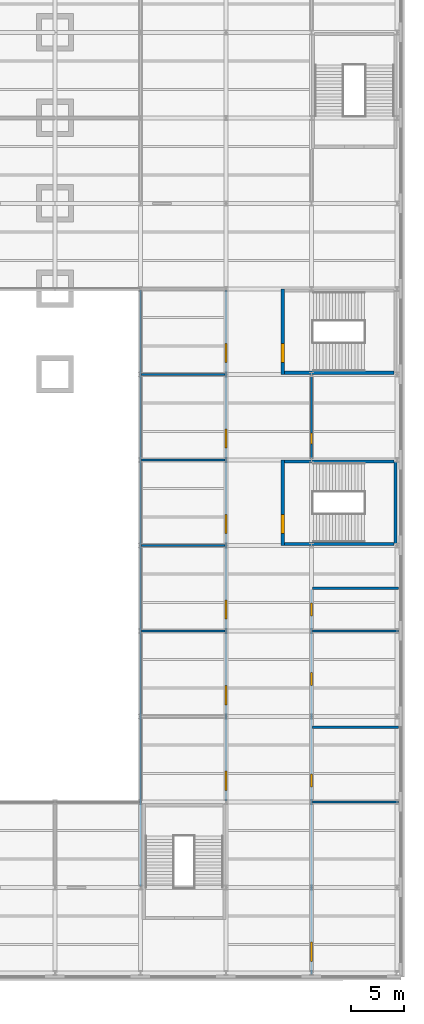
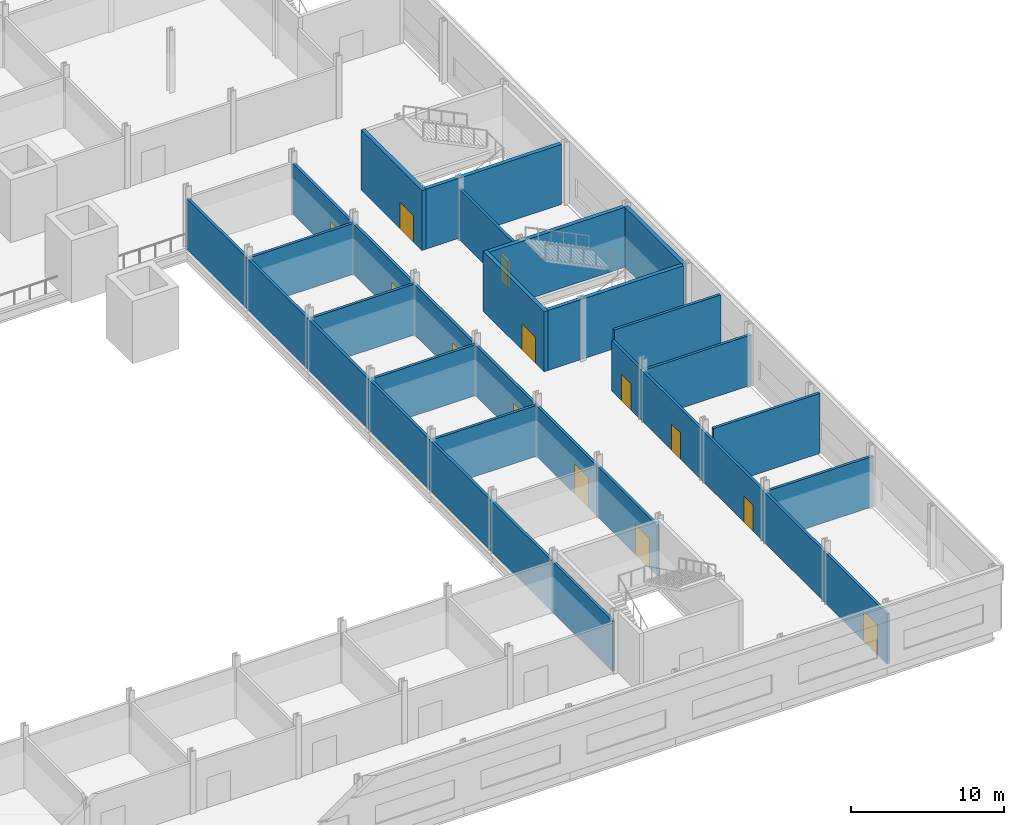
# One storey, part 12 of 22: 18 walls, 13 doors, 13 openings.
"""IFC4 building model written with IfcOpenShell, lengths in metres."""

from ifc_helpers import new_model, si_unit, direction, frame, frame_2d, origin, place, context, subcontext, project, spatial, rectangle, extrude, material, layer, layer_set, type_object, element, fill, save


model = new_model("IFC4")

# Units and contexts
model_context = context("Model", 3, precision=1e-05, world=origin(), true_north=direction((0.0, 1.0)))
body_context = subcontext(model_context, "Body", "Model", "MODEL_VIEW")
ifc_project = project(units=[si_unit("LENGTHUNIT", "METRE"), si_unit("AREAUNIT", "SQUARE_METRE"), si_unit("VOLUMEUNIT", "CUBIC_METRE"), si_unit("PLANEANGLEUNIT", "RADIAN"), si_unit("MASSUNIT", "GRAM", prefix="KILO")], contexts=[model_context])

# Site, building, storey
site_placement = place(None, origin())
site = spatial("IfcSite", under=ifc_project, at=site_placement, CompositionType="ELEMENT")
building_placement = place(site_placement, origin())
building = spatial("IfcBuilding", under=site, at=building_placement, Name="Daluyong Arena Tower", CompositionType="ELEMENT")
storey_placement = place(building_placement, frame((0.0, 0.0, 9.89990234375)))
storey = spatial("IfcBuildingStorey", under=building, at=storey_placement, Name="L02", CompositionType="ELEMENT", Elevation=9.89990234375)

# Walls
ifc_material_1 = material(Name="Concrete block partition", Category="concrete")
ifc_layer_1 = layer(ifc_material_1, 0.199951171875)
ifc_layer_set_1 = layer_set([ifc_layer_1], Name="Concrete block partition")
wall_type_1 = type_object("IfcWallType", Name="Partition 200", PredefinedType="PARTITIONING", material=ifc_layer_set_1)
wall_1_placement = place(storey_placement, frame((104.10009765625, 16.0, 0.0), z_axis=(0.0, 0.0, 1.0), x_axis=(1.0, 0.0, 0.0)))
element("IfcWall", 1, at=wall_1_placement, inside=storey, type_object=wall_type_1, Name="partition at L02", PredefinedType="PARTITIONING", context=body_context, shape_type="SweptSolid", body=[
    extrude(rectangle(XDim=8.0498046875, YDim=0.199951171875, at=frame_2d((4.02490234375, 0.0))), origin(), (0.0, 0.0, 1.0), 4.02783203125),
])
wall_2_placement = place(storey_placement, frame((104.10009765625, 23.0, 0.0), z_axis=(0.0, 0.0, 1.0), x_axis=(1.0, 0.0, 0.0)))
element("IfcWall", 2, at=wall_2_placement, inside=storey, type_object=wall_type_1, Name="partition at L02", PredefinedType="PARTITIONING", context=body_context, shape_type="SweptSolid", body=[
    extrude(rectangle(XDim=8.0498046875, YDim=0.199951171875, at=frame_2d((4.02490234375, 0.0))), origin(), (0.0, 0.0, 1.0), 4.800048828125),
])
wall_3_placement = place(storey_placement, frame((88.10009765625, 32.0, 0.0), z_axis=(0.0, 0.0, 1.0), x_axis=(1.0, 0.0, 0.0)))
element("IfcWall", 3, at=wall_3_placement, inside=storey, type_object=wall_type_1, Name="partition at L02", PredefinedType="PARTITIONING", context=body_context, shape_type="SweptSolid", body=[
    extrude(rectangle(XDim=7.7998046875, YDim=0.199951171875, at=frame_2d((3.89990234375, 0.0))), origin(), (0.0, 0.0, 1.0), 4.071533203125),
])
wall_4_placement = place(storey_placement, frame((104.10009765625, 32.0, 0.0), z_axis=(0.0, 0.0, 1.0), x_axis=(1.0, 0.0, 0.0)))
element("IfcWall", 4, at=wall_4_placement, inside=storey, type_object=wall_type_1, Name="partition at L02", PredefinedType="PARTITIONING", context=body_context, shape_type="SweptSolid", body=[
    extrude(rectangle(XDim=8.0498046875, YDim=0.199951171875, at=frame_2d((4.02490234375, 0.0))), origin(), (0.0, 0.0, 1.0), 4.02783203125),
])
wall_5_placement = place(storey_placement, frame((104.10009765625, 36.0, 0.0), z_axis=(0.0, 0.0, 1.0), x_axis=(1.0, 0.0, 0.0)))
element("IfcWall", 5, at=wall_5_placement, inside=storey, type_object=wall_type_1, Name="partition at L02", PredefinedType="PARTITIONING", context=body_context, shape_type="SweptSolid", body=[
    extrude(rectangle(XDim=8.0498046875, YDim=0.199951171875, at=frame_2d((4.02490234375, 0.0))), origin(), (0.0, 0.0, 1.0), 4.800048828125),
])
for number, where, z_axis, x_axis, name in (
    (6, (88.10009765625, 40.0, 0.0), (0.0, 0.0, 1.0), (1.0, 0.0, 0.0), "partition at L02"),
    (7, (88.10009765625, 48.0, 0.0), (0.0, 0.0, 1.0), (1.0, 0.0, 0.0), "partition at L02"),
    (8, (88.10009765625, 56.0, 0.0), (0.0, 0.0, 1.0), (1.0, 0.0, 0.0), "partition at L02"),
):
    element("IfcWall", number, at=place(storey_placement, frame(where, z_axis=z_axis, x_axis=x_axis)), inside=storey, type_object=wall_type_1, Name=name, PredefinedType="PARTITIONING", context=body_context, shape_type="SweptSolid", body=[
        extrude(rectangle(XDim=7.7998046875, YDim=0.199951171875, at=frame_2d((3.89990234375, 0.0))), origin(), (0.0, 0.0, 1.0), 4.071533203125),
    ])
wall_6_placement = place(storey_placement, frame((88.0, 8.10009765625, 0.0), z_axis=(0.0, 0.0, 1.0), x_axis=(0.0, 1.0, 0.0)))
element("IfcWall", 9, at=wall_6_placement, inside=storey, type_object=wall_type_1, Name="partition at L02", PredefinedType="PARTITIONING", context=body_context, shape_type="SweptSolid", body=[
    extrude(rectangle(XDim=55.7998046875, YDim=0.199951171875, at=frame_2d((27.89990234375, 0.0))), origin(), (0.0, 0.0, 1.0), 4.02783203125),
])

# Wall, openings, doors
wall_7_placement = place(storey_placement, frame((96.0, 16.10009765625, 0.0), z_axis=(0.0, 0.0, 1.0), x_axis=(0.0, 1.0, 0.0)))
wall_7 = element("IfcWall", 10, at=wall_7_placement, inside=storey, type_object=wall_type_1, Name="partition at L02", PredefinedType="PARTITIONING", context=body_context, shape_type="SweptSolid", body=[
    extrude(rectangle(XDim=47.7998046875, YDim=0.199951171875, at=frame_2d((23.89990234375, 0.0))), origin(), (0.0, 0.0, 1.0), 4.02783203125),
])
opening_1_placement = place(wall_7_placement, frame((1.0, 0.0, 0.0)))
opening_1 = element("IfcOpeningElement", 11, at=opening_1_placement, cuts=wall_7, Name="Opening 02039", PredefinedType="OPENING", context=body_context, shape_type="SweptSolid", body=[
    extrude(rectangle(XDim=1.800048828125, YDim=2.39990234375, at=frame_2d((0.89990234375, 1.199951171875))), frame((0.0, 0.10986328125, 0.0), z_axis=(0.0, -1.0, 0.0), x_axis=(1.0, 0.0, 0.0)), (0.0, 0.0, 1.0), 0.219970703125),
])
opening_2_placement = place(wall_7_placement, frame((9.0, 0.0, 0.0)))
opening_2 = element("IfcOpeningElement", 12, at=opening_2_placement, cuts=wall_7, Name="Opening 02040", PredefinedType="OPENING", context=body_context, shape_type="SweptSolid", body=[
    extrude(rectangle(XDim=1.800048828125, YDim=2.39990234375, at=frame_2d((0.89990234375, 1.199951171875))), frame((0.0, 0.10986328125, 0.0), z_axis=(0.0, -1.0, 0.0), x_axis=(1.0, 0.0, 0.0)), (0.0, 0.0, 1.0), 0.219970703125),
])
opening_3_placement = place(wall_7_placement, frame((17.0, 0.0, 0.0)))
opening_3 = element("IfcOpeningElement", 13, at=opening_3_placement, cuts=wall_7, Name="Opening 02041", PredefinedType="OPENING", context=body_context, shape_type="SweptSolid", body=[
    extrude(rectangle(XDim=1.800048828125, YDim=2.39990234375, at=frame_2d((0.89990234375, 1.199951171875))), frame((0.0, 0.10986328125, 0.0), z_axis=(0.0, -1.0, 0.0), x_axis=(1.0, 0.0, 0.0)), (0.0, 0.0, 1.0), 0.219970703125),
])
opening_4_placement = place(wall_7_placement, frame((25.0, 0.0, 0.0)))
opening_4 = element("IfcOpeningElement", 14, at=opening_4_placement, cuts=wall_7, Name="Opening 02042", PredefinedType="OPENING", context=body_context, shape_type="SweptSolid", body=[
    extrude(rectangle(XDim=1.800048828125, YDim=2.39990234375, at=frame_2d((0.89990234375, 1.199951171875))), frame((0.0, 0.10986328125, 0.0), z_axis=(0.0, -1.0, 0.0), x_axis=(1.0, 0.0, 0.0)), (0.0, 0.0, 1.0), 0.219970703125),
])
opening_5_placement = place(wall_7_placement, frame((33.0, 0.0, 0.0)))
opening_5 = element("IfcOpeningElement", 15, at=opening_5_placement, cuts=wall_7, Name="Opening 02043", PredefinedType="OPENING", context=body_context, shape_type="SweptSolid", body=[
    extrude(rectangle(XDim=1.800048828125, YDim=2.39990234375, at=frame_2d((0.89990234375, 1.199951171875))), frame((0.0, 0.10986328125, 0.0), z_axis=(0.0, -1.0, 0.0), x_axis=(1.0, 0.0, 0.0)), (0.0, 0.0, 1.0), 0.219970703125),
])
opening_6_placement = place(wall_7_placement, frame((41.0, 0.0, 0.0)))
opening_6 = element("IfcOpeningElement", 16, at=opening_6_placement, cuts=wall_7, Name="Opening 02044", PredefinedType="OPENING", context=body_context, shape_type="SweptSolid", body=[
    extrude(rectangle(XDim=1.800048828125, YDim=2.39990234375, at=frame_2d((0.89990234375, 1.199951171875))), frame((0.0, 0.10986328125, 0.0), z_axis=(0.0, -1.0, 0.0), x_axis=(1.0, 0.0, 0.0)), (0.0, 0.0, 1.0), 0.219970703125),
])
ifc_material_2 = material(Name="Timber door", Category="wood")
door_type_1 = type_object("IfcDoorType", Name="Assembly double door 1800", OperationType="DOUBLE_DOOR_DOUBLE_SWING", PredefinedType="DOOR", material=ifc_material_2)
door_1_placement = place(opening_1_placement, origin())
door_1 = element("IfcDoor", 17, at=door_1_placement, inside=storey, type_object=door_type_1, Name="corporate suite door 02039", OperationType="DOUBLE_DOOR_DOUBLE_SWING", OverallHeight=2.39990234375, OverallWidth=1.800048828125, PredefinedType="DOOR", context=body_context, shape_type="SweptSolid", body=[
    extrude(rectangle(XDim=1.800048828125, YDim=2.39990234375, at=frame_2d((0.89990234375, 1.199951171875))), frame((0.0, 0.099609375, 0.0), z_axis=(0.0, -1.0, 0.0), x_axis=(1.0, 0.0, 0.0)), (0.0, 0.0, 1.0), 0.199462890625),
])
fill(opening_1, door_1)
door_2_placement = place(opening_2_placement, origin())
door_2 = element("IfcDoor", 18, at=door_2_placement, inside=storey, type_object=door_type_1, Name="corporate suite door 02040", OperationType="DOUBLE_DOOR_DOUBLE_SWING", OverallHeight=2.39990234375, OverallWidth=1.800048828125, PredefinedType="DOOR", context=body_context, shape_type="SweptSolid", body=[
    extrude(rectangle(XDim=1.800048828125, YDim=2.39990234375, at=frame_2d((0.89990234375, 1.199951171875))), frame((0.0, 0.099609375, 0.0), z_axis=(0.0, -1.0, 0.0), x_axis=(1.0, 0.0, 0.0)), (0.0, 0.0, 1.0), 0.199462890625),
])
fill(opening_2, door_2)
door_3_placement = place(opening_3_placement, origin())
door_3 = element("IfcDoor", 19, at=door_3_placement, inside=storey, type_object=door_type_1, Name="corporate suite door 02041", OperationType="DOUBLE_DOOR_DOUBLE_SWING", OverallHeight=2.39990234375, OverallWidth=1.800048828125, PredefinedType="DOOR", context=body_context, shape_type="SweptSolid", body=[
    extrude(rectangle(XDim=1.800048828125, YDim=2.39990234375, at=frame_2d((0.89990234375, 1.199951171875))), frame((0.0, 0.099609375, 0.0), z_axis=(0.0, -1.0, 0.0), x_axis=(1.0, 0.0, 0.0)), (0.0, 0.0, 1.0), 0.199462890625),
])
fill(opening_3, door_3)
door_4_placement = place(opening_4_placement, origin())
door_4 = element("IfcDoor", 20, at=door_4_placement, inside=storey, type_object=door_type_1, Name="corporate suite door 02042", OperationType="DOUBLE_DOOR_DOUBLE_SWING", OverallHeight=2.39990234375, OverallWidth=1.800048828125, PredefinedType="DOOR", context=body_context, shape_type="SweptSolid", body=[
    extrude(rectangle(XDim=1.800048828125, YDim=2.39990234375, at=frame_2d((0.89990234375, 1.199951171875))), frame((0.0, 0.099609375, 0.0), z_axis=(0.0, -1.0, 0.0), x_axis=(1.0, 0.0, 0.0)), (0.0, 0.0, 1.0), 0.199462890625),
])
fill(opening_4, door_4)
door_5_placement = place(opening_5_placement, origin())
door_5 = element("IfcDoor", 21, at=door_5_placement, inside=storey, type_object=door_type_1, Name="corporate suite door 02043", OperationType="DOUBLE_DOOR_DOUBLE_SWING", OverallHeight=2.39990234375, OverallWidth=1.800048828125, PredefinedType="DOOR", context=body_context, shape_type="SweptSolid", body=[
    extrude(rectangle(XDim=1.800048828125, YDim=2.39990234375, at=frame_2d((0.89990234375, 1.199951171875))), frame((0.0, 0.099609375, 0.0), z_axis=(0.0, -1.0, 0.0), x_axis=(1.0, 0.0, 0.0)), (0.0, 0.0, 1.0), 0.199462890625),
])
fill(opening_5, door_5)
door_6_placement = place(opening_6_placement, origin())
door_6 = element("IfcDoor", 22, at=door_6_placement, inside=storey, type_object=door_type_1, Name="corporate suite door 02044", OperationType="DOUBLE_DOOR_DOUBLE_SWING", OverallHeight=2.39990234375, OverallWidth=1.800048828125, PredefinedType="DOOR", context=body_context, shape_type="SweptSolid", body=[
    extrude(rectangle(XDim=1.800048828125, YDim=2.39990234375, at=frame_2d((0.89990234375, 1.199951171875))), frame((0.0, 0.099609375, 0.0), z_axis=(0.0, -1.0, 0.0), x_axis=(1.0, 0.0, 0.0)), (0.0, 0.0, 1.0), 0.199462890625),
])
fill(opening_6, door_6)

wall_8_placement = place(storey_placement, frame((104.0, -0.14990234375, 0.0), z_axis=(0.0, 0.0, 1.0), x_axis=(0.0, 1.0, 0.0)))
wall_8 = element("IfcWall", 23, at=wall_8_placement, inside=storey, type_object=wall_type_1, Name="partition at L02", PredefinedType="PARTITIONING", context=body_context, shape_type="SweptSolid", body=[
    extrude(rectangle(XDim=36.0498046875, YDim=0.199951171875, at=frame_2d((18.02490234375, 0.0))), origin(), (0.0, 0.0, 1.0), 4.02783203125),
])
opening_7_placement = place(wall_8_placement, frame((17.550048828125, 0.0, 0.0)))
opening_7 = element("IfcOpeningElement", 24, at=opening_7_placement, cuts=wall_8, Name="Opening 02026", PredefinedType="OPENING", context=body_context, shape_type="SweptSolid", body=[
    extrude(rectangle(XDim=1.199951171875, YDim=2.10009765625, at=frame_2d((0.60009765625, 1.050048828125))), frame((0.0, 0.10986328125, 0.0), z_axis=(0.0, -1.0, 0.0), x_axis=(1.0, 0.0, 0.0)), (0.0, 0.0, 1.0), 0.219970703125),
])
opening_8_placement = place(wall_8_placement, frame((27.050048828125, 0.0, 0.0)))
opening_8 = element("IfcOpeningElement", 25, at=opening_8_placement, cuts=wall_8, Name="Opening 02027", PredefinedType="OPENING", context=body_context, shape_type="SweptSolid", body=[
    extrude(rectangle(XDim=1.199951171875, YDim=2.10009765625, at=frame_2d((0.60009765625, 1.050048828125))), frame((0.0, 0.10986328125, 0.0), z_axis=(0.0, -1.0, 0.0), x_axis=(1.0, 0.0, 0.0)), (0.0, 0.0, 1.0), 0.219970703125),
])
opening_9_placement = place(wall_8_placement, frame((33.550048828125, 0.0, 0.0)))
opening_9 = element("IfcOpeningElement", 26, at=opening_9_placement, cuts=wall_8, Name="Opening 02028", PredefinedType="OPENING", context=body_context, shape_type="SweptSolid", body=[
    extrude(rectangle(XDim=1.199951171875, YDim=2.10009765625, at=frame_2d((0.60009765625, 1.050048828125))), frame((0.0, 0.10986328125, 0.0), z_axis=(0.0, -1.0, 0.0), x_axis=(1.0, 0.0, 0.0)), (0.0, 0.0, 1.0), 0.219970703125),
])
opening_10_placement = place(wall_8_placement, frame((1.25, 0.0, 0.0)))
opening_10 = element("IfcOpeningElement", 27, at=opening_10_placement, cuts=wall_8, Name="Opening 02030", PredefinedType="OPENING", context=body_context, shape_type="SweptSolid", body=[
    extrude(rectangle(XDim=1.800048828125, YDim=2.39990234375, at=frame_2d((0.89990234375, 1.199951171875))), frame((0.0, 0.10986328125, 0.0), z_axis=(0.0, -1.0, 0.0), x_axis=(1.0, 0.0, 0.0)), (0.0, 0.0, 1.0), 0.219970703125),
])
door_7_placement = place(opening_10_placement, origin())
door_7 = element("IfcDoor", 28, at=door_7_placement, inside=storey, type_object=door_type_1, Name="club bar door 02030", OperationType="DOUBLE_DOOR_DOUBLE_SWING", OverallHeight=2.39990234375, OverallWidth=1.800048828125, PredefinedType="DOOR", context=body_context, shape_type="SweptSolid", body=[
    extrude(rectangle(XDim=1.800048828125, YDim=2.39990234375, at=frame_2d((0.89990234375, 1.199951171875))), frame((0.0, 0.099609375, 0.0), z_axis=(0.0, -1.0, 0.0), x_axis=(1.0, 0.0, 0.0)), (0.0, 0.0, 1.0), 0.199462890625),
])
fill(opening_10, door_7)
ifc_material_3 = material(Name="Timber door", Category="wood")
door_type_2 = type_object("IfcDoorType", Name="Toilet entry door 1200", OperationType="SINGLE_SWING_RIGHT", PredefinedType="DOOR", material=ifc_material_3)
door_8_placement = place(opening_7_placement, origin())
door_8 = element("IfcDoor", 29, at=door_8_placement, inside=storey, type_object=door_type_2, Name="male toilet door 02026", OperationType="SINGLE_SWING_RIGHT", OverallHeight=2.10009765625, OverallWidth=1.199951171875, PredefinedType="DOOR", context=body_context, shape_type="SweptSolid", body=[
    extrude(rectangle(XDim=1.199951171875, YDim=2.10009765625, at=frame_2d((0.60009765625, 1.050048828125))), frame((0.0, 0.099609375, 0.0), z_axis=(0.0, -1.0, 0.0), x_axis=(1.0, 0.0, 0.0)), (0.0, 0.0, 1.0), 0.199462890625),
])
fill(opening_7, door_8)
door_9_placement = place(opening_8_placement, origin())
door_9 = element("IfcDoor", 30, at=door_9_placement, inside=storey, type_object=door_type_2, Name="female toilet door 02027", OperationType="SINGLE_SWING_RIGHT", OverallHeight=2.10009765625, OverallWidth=1.199951171875, PredefinedType="DOOR", context=body_context, shape_type="SweptSolid", body=[
    extrude(rectangle(XDim=1.199951171875, YDim=2.10009765625, at=frame_2d((0.60009765625, 1.050048828125))), frame((0.0, 0.099609375, 0.0), z_axis=(0.0, -1.0, 0.0), x_axis=(1.0, 0.0, 0.0)), (0.0, 0.0, 1.0), 0.199462890625),
])
fill(opening_8, door_9)
door_10_placement = place(opening_9_placement, origin())
door_10 = element("IfcDoor", 31, at=door_10_placement, inside=storey, type_object=door_type_2, Name="accessible toilet door 02028", OperationType="SINGLE_SWING_RIGHT", OverallHeight=2.10009765625, OverallWidth=1.199951171875, PredefinedType="DOOR", context=body_context, shape_type="SweptSolid", body=[
    extrude(rectangle(XDim=1.199951171875, YDim=2.10009765625, at=frame_2d((0.60009765625, 1.050048828125))), frame((0.0, 0.099609375, 0.0), z_axis=(0.0, -1.0, 0.0), x_axis=(1.0, 0.0, 0.0)), (0.0, 0.0, 1.0), 0.199462890625),
])
fill(opening_9, door_10)

# Wall, opening, door
wall_9_placement = place(storey_placement, frame((104.0, 48.10009765625, 0.0), z_axis=(0.0, 0.0, 1.0), x_axis=(0.0, 1.0, 0.0)))
wall_9 = element("IfcWall", 32, at=wall_9_placement, inside=storey, type_object=wall_type_1, Name="partition at L02", PredefinedType="PARTITIONING", context=body_context, shape_type="SweptSolid", body=[
    extrude(rectangle(XDim=7.7998046875, YDim=0.199951171875, at=frame_2d((3.89990234375, 0.0))), origin(), (0.0, 0.0, 1.0), 4.02783203125),
])
opening_11_placement = place(wall_9_placement, frame((1.39990234375, 0.0, 0.0)))
opening_11 = element("IfcOpeningElement", 33, at=opening_11_placement, cuts=wall_9, Name="Opening 02032", PredefinedType="OPENING", context=body_context, shape_type="SweptSolid", body=[
    extrude(rectangle(XDim=1.0, YDim=2.10009765625, at=frame_2d((0.5, 1.050048828125))), frame((0.0, 0.10986328125, 0.0), z_axis=(0.0, -1.0, 0.0), x_axis=(1.0, 0.0, 0.0)), (0.0, 0.0, 1.0), 0.219970703125),
])
ifc_material_4 = material(Name="Timber door", Category="wood")
door_type_3 = type_object("IfcDoorType", Name="Room door 1000", OperationType="SINGLE_SWING_LEFT", PredefinedType="DOOR", material=ifc_material_4)
door_11_placement = place(opening_11_placement, origin())
door_11 = element("IfcDoor", 34, at=door_11_placement, inside=storey, type_object=door_type_3, Name="food and beverage kiosk door 02032", OperationType="SINGLE_SWING_LEFT", OverallHeight=2.10009765625, OverallWidth=1.0, PredefinedType="DOOR", context=body_context, shape_type="SweptSolid", body=[
    extrude(rectangle(XDim=1.0, YDim=2.10009765625, at=frame_2d((0.5, 1.050048828125))), frame((0.0, 0.099609375, 0.0), z_axis=(0.0, -1.0, 0.0), x_axis=(1.0, 0.0, 0.0)), (0.0, 0.0, 1.0), 0.199462890625),
])
fill(opening_11, door_11)

ifc_material_5 = material(Name="Concrete fc' 35 MPa", Category="concrete")
ifc_layer_2 = layer(ifc_material_5, 0.300048828125)
ifc_layer_set_2 = layer_set([ifc_layer_2], Name="Concrete fc' 35 MPa")
wall_type_2 = type_object("IfcWallType", Name="Stair enclosure wall 300", PredefinedType="SOLIDWALL", material=ifc_layer_set_2)
wall_10_placement = place(storey_placement, frame((101.300048828125, 40.0, 0.0), z_axis=(0.0, 0.0, 1.0), x_axis=(0.0, 1.0, 0.0)))
wall_10 = element("IfcWall", 35, at=wall_10_placement, inside=storey, type_object=wall_type_2, Name="exit stair PS4 enclosure", PredefinedType="SOLIDWALL", context=body_context, shape_type="SweptSolid", body=[
    extrude(rectangle(XDim=8.0, YDim=0.300048828125, at=frame_2d((4.0, 0.0))), origin(), (0.0, 0.0, 1.0), 4.800048828125),
])
opening_12_placement = place(wall_10_placement, frame((1.10009765625, 0.0, 0.0)))
opening_12 = element("IfcOpeningElement", 36, at=opening_12_placement, cuts=wall_10, Name="Opening 02018", PredefinedType="OPENING", context=body_context, shape_type="SweptSolid", body=[
    extrude(rectangle(XDim=1.800048828125, YDim=2.10009765625, at=frame_2d((0.89990234375, 1.050048828125))), frame((0.0, 0.159912109375, 0.0), z_axis=(0.0, -1.0, 0.0), x_axis=(1.0, 0.0, 0.0)), (0.0, 0.0, 1.0), 0.320068359375),
])
ifc_material_6 = material(Name="Steel door, fire rated", Category="steel")
door_type_4 = type_object("IfcDoorType", Name="Exit stair double door 1800", OperationType="DOUBLE_DOOR_SINGLE_SWING", PredefinedType="DOOR", material=ifc_material_6)
door_12_placement = place(opening_12_placement, origin())
door_12 = element("IfcDoor", 37, at=door_12_placement, inside=storey, type_object=door_type_4, Name="exit stair PS4 door 02018", OperationType="DOUBLE_DOOR_SINGLE_SWING", OverallHeight=2.10009765625, OverallWidth=1.800048828125, PredefinedType="DOOR", context=body_context, shape_type="SweptSolid", body=[
    extrude(rectangle(XDim=1.800048828125, YDim=2.10009765625, at=frame_2d((0.89990234375, 1.050048828125))), frame((0.0, 0.14990234375, 0.0), z_axis=(0.0, -1.0, 0.0), x_axis=(1.0, 0.0, 0.0)), (0.0, 0.0, 1.0), 0.299560546875),
])
fill(opening_12, door_12)

# Walls
wall_11_placement = place(storey_placement, frame((111.85009765625, 40.208251953125, 0.0), z_axis=(0.0, 0.0, 1.0), x_axis=(0.0, 1.0, 0.0)))
element("IfcWall", 38, at=wall_11_placement, inside=storey, type_object=wall_type_2, Name="exit stair PS4 enclosure", PredefinedType="SOLIDWALL", context=body_context, shape_type="SweptSolid", body=[
    extrude(rectangle(XDim=7.58349609375, YDim=0.300048828125, at=frame_2d((3.791748046875, 0.0))), origin(), (0.0, 0.0, 1.0), 4.800048828125),
])
for number, where, z_axis, x_axis, name in (
    (39, (101.449951171875, 40.14990234375, 0.0), (0.0, 0.0, 1.0), (1.0, 0.0, 0.0), "exit stair PS4 enclosure"),
    (40, (101.449951171875, 47.85009765625, 0.0), (0.0, 0.0, 1.0), (1.0, 0.0, 0.0), "exit stair PS4 enclosure"),
):
    element("IfcWall", number, at=place(storey_placement, frame(where, z_axis=z_axis, x_axis=x_axis)), inside=storey, type_object=wall_type_2, Name=name, PredefinedType="SOLIDWALL", context=body_context, shape_type="SweptSolid", body=[
        extrude(rectangle(XDim=10.25, YDim=0.300048828125, at=frame_2d((5.125, 0.0))), origin(), (0.0, 0.0, 1.0), 4.800048828125),
    ])

# Wall, opening, door
wall_12_placement = place(storey_placement, frame((101.300048828125, 56.0, 0.0), z_axis=(0.0, 0.0, 1.0), x_axis=(0.0, 1.0, 0.0)))
wall_12 = element("IfcWall", 41, at=wall_12_placement, inside=storey, type_object=wall_type_2, Name="exit stair PS8 enclosure", PredefinedType="SOLIDWALL", context=body_context, shape_type="SweptSolid", body=[
    extrude(rectangle(XDim=8.0, YDim=0.300048828125, at=frame_2d((4.0, 0.0))), origin(), (0.0, 0.0, 1.0), 4.800048828125),
])
opening_13_placement = place(wall_12_placement, frame((1.10009765625, 0.0, 0.0)))
opening_13 = element("IfcOpeningElement", 42, at=opening_13_placement, cuts=wall_12, Name="Opening 02022", PredefinedType="OPENING", context=body_context, shape_type="SweptSolid", body=[
    extrude(rectangle(XDim=1.800048828125, YDim=2.10009765625, at=frame_2d((0.89990234375, 1.050048828125))), frame((0.0, 0.159912109375, 0.0), z_axis=(0.0, -1.0, 0.0), x_axis=(1.0, 0.0, 0.0)), (0.0, 0.0, 1.0), 0.320068359375),
])
door_13_placement = place(opening_13_placement, origin())
door_13 = element("IfcDoor", 43, at=door_13_placement, inside=storey, type_object=door_type_4, Name="exit stair PS8 door 02022", OperationType="DOUBLE_DOOR_SINGLE_SWING", OverallHeight=2.10009765625, OverallWidth=1.800048828125, PredefinedType="DOOR", context=body_context, shape_type="SweptSolid", body=[
    extrude(rectangle(XDim=1.800048828125, YDim=2.10009765625, at=frame_2d((0.89990234375, 1.050048828125))), frame((0.0, 0.14990234375, 0.0), z_axis=(0.0, -1.0, 0.0), x_axis=(1.0, 0.0, 0.0)), (0.0, 0.0, 1.0), 0.299560546875),
])
fill(opening_13, door_13)

# Wall
wall_13_placement = place(storey_placement, frame((101.449951171875, 56.14990234375, 0.0), z_axis=(0.0, 0.0, 1.0), x_axis=(1.0, 0.0, 0.0)))
element("IfcWall", 44, at=wall_13_placement, inside=storey, type_object=wall_type_2, Name="exit stair PS8 enclosure", PredefinedType="SOLIDWALL", context=body_context, shape_type="SweptSolid", body=[
    extrude(rectangle(XDim=10.25, YDim=0.300048828125, at=frame_2d((5.125, 0.0))), origin(), (0.0, 0.0, 1.0), 4.800048828125),
])

save(model, "model.ifc")
